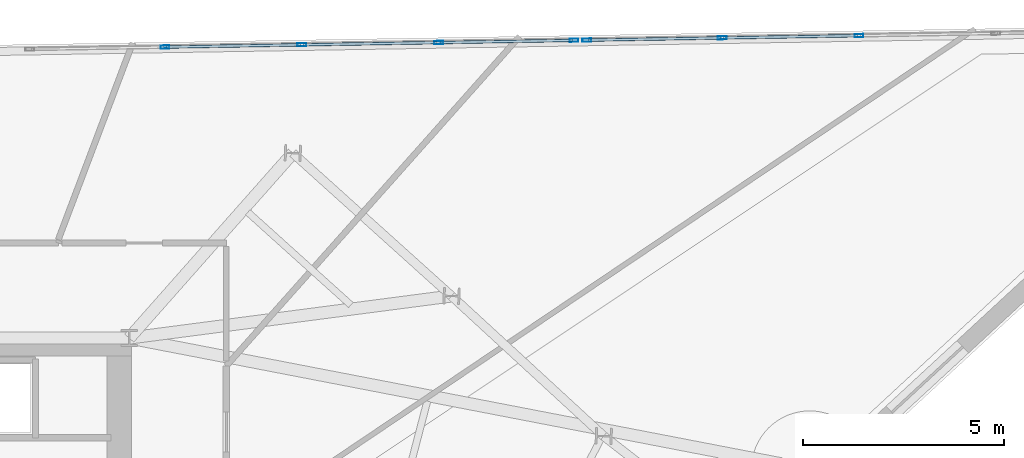
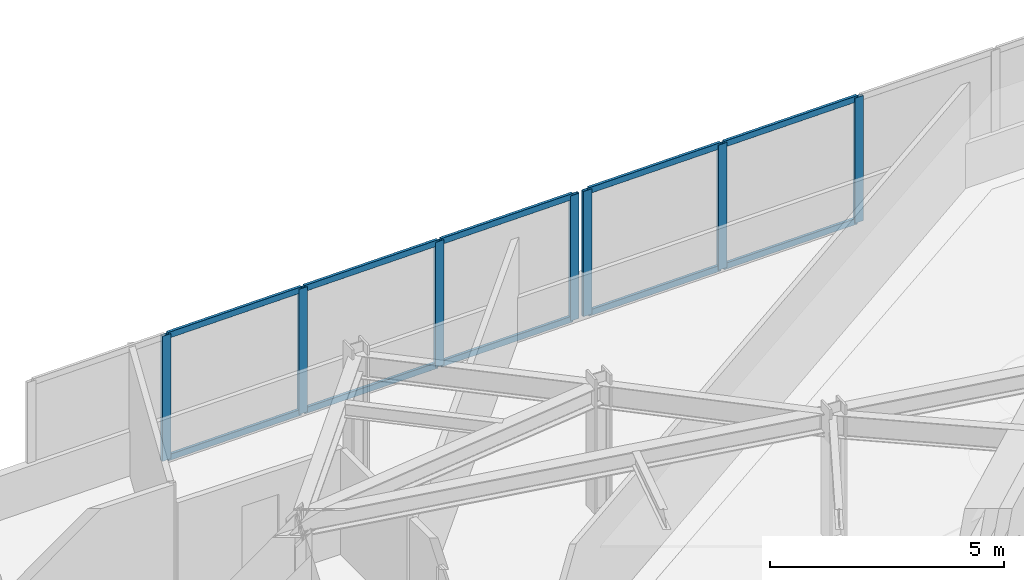
# One storey, part 6 of 14: 17 members, 2 elements without a shape of their own.
"""IFC4 building model written with IfcOpenShell, lengths in metres."""

from ifc_helpers import new_model, si_unit, direction, frame, origin, origin_2d, place, context, subcontext, project, spatial, hollow_rectangle, extrude, material, material_profile, profile_set, type_object, element, aggregate, save


model = new_model("IFC4")

# Units and contexts
model_context = context("Model", 3, precision=1e-05, world=origin(), true_north=direction((0.0, 1.0)))
body_context = subcontext(model_context, "Body", "Model", "MODEL_VIEW")
ifc_project = project(units=[si_unit("LENGTHUNIT", "METRE"), si_unit("AREAUNIT", "SQUARE_METRE"), si_unit("VOLUMEUNIT", "CUBIC_METRE"), si_unit("PLANEANGLEUNIT", "RADIAN"), si_unit("MASSUNIT", "GRAM", prefix="KILO")], contexts=[model_context])

# Site, building, storey
site_placement = place(None, origin())
site = spatial("IfcSite", under=ifc_project, at=site_placement, CompositionType="ELEMENT")
building_placement = place(site_placement, origin())
building = spatial("IfcBuilding", under=site, at=building_placement, Name="Narakoshi Arena Tower", CompositionType="ELEMENT")
storey_placement = place(building_placement, frame((0.0, 0.0, 288.89990234375)))
storey = spatial("IfcBuildingStorey", under=building, at=storey_placement, Name="L79", CompositionType="ELEMENT", Elevation=288.89990234375)

# Curtain wall, members
ifc_material_1 = material(Name="Clear low-iron laminated structural glass", Category="glass")
curtain_wall_type = type_object("IfcCurtainWallType", Name="CW-OBS-TMD", PredefinedType="NOTDEFINED", material=ifc_material_1)
curtain_wall_1_placement = place(storey_placement, origin())
curtain_wall_1 = element("IfcCurtainWall", 1, at=curtain_wall_1_placement, inside=storey, type_object=curtain_wall_type, Name="L79 Folded Hypotenuse Curtain Wall 1-1", PredefinedType="NOTDEFINED")
ifc_material_2 = material(Name="Anodised bronze aluminium 6063-T6", Category="aluminium")
ifc_material_profile_1 = material_profile(ifc_material_2, hollow_rectangle(XDim=0.080078125, YDim=0.219970703125, WallThickness=0.0048828125, OuterFilletRadius=0.006103515625, at=origin_2d()), Name="MUL220x80x5")
ifc_profile_set_1 = profile_set([ifc_material_profile_1], Name="Anodised bronze aluminium 6063-T6")
member_type_1 = type_object("IfcMemberType", Name="MEM-MUL-220", PredefinedType="MULLION", material=ifc_profile_set_1)
member_1_placement = place(storey_placement, frame((103.664306640625, 64.006591796875, 0.0), z_axis=(0.0, 0.0, 1.0), x_axis=(0.016444781281, -0.999864775441, 0.0)))
member_1 = element("IfcMember", 2, at=member_1_placement, type_object=member_type_1, Name="CW-05 mullion 3", PredefinedType="MULLION", context=body_context, shape_type="SweptSolid", body=[
    extrude(hollow_rectangle(XDim=0.080078125, YDim=0.219970703125, WallThickness=0.0048828125, OuterFilletRadius=0.006103515625, at=origin_2d()), origin(), (0.0, 0.0, 1.0), 3.260009765625),
])
member_2_placement = place(storey_placement, frame((100.26708984375, 63.95068359375, 0.0), z_axis=(0.0, 0.0, 1.0), x_axis=(0.016444781281, -0.999864775441, 0.0)))
member_2 = element("IfcMember", 3, at=member_2_placement, type_object=member_type_1, Name="CW-05 mullion 4", PredefinedType="MULLION", context=body_context, shape_type="SweptSolid", body=[
    extrude(hollow_rectangle(XDim=0.080078125, YDim=0.219970703125, WallThickness=0.0048828125, OuterFilletRadius=0.006103515625, at=origin_2d()), origin(), (0.0, 0.0, 1.0), 3.260009765625),
])
member_3_placement = place(storey_placement, frame((96.909912109375, 63.8955078125, 0.0), z_axis=(0.0, 0.0, 1.0), x_axis=(0.016444781281, -0.999864775441, 0.0)))
member_3 = element("IfcMember", 4, at=member_3_placement, type_object=member_type_1, Name="CW-05 mullion 5", PredefinedType="MULLION", context=body_context, shape_type="SweptSolid", body=[
    extrude(hollow_rectangle(XDim=0.080078125, YDim=0.219970703125, WallThickness=0.0048828125, OuterFilletRadius=0.006103515625, at=origin_2d()), origin(), (0.0, 0.0, 1.0), 3.260009765625),
])

curtain_wall_2_placement = place(storey_placement, origin())
curtain_wall_2 = element("IfcCurtainWall", 5, at=curtain_wall_2_placement, inside=storey, type_object=curtain_wall_type, Name="L79 Folded Hypotenuse Curtain Wall 1-2", PredefinedType="NOTDEFINED")
member_4_placement = place(storey_placement, frame((96.58984375, 63.89013671875, 0.0), z_axis=(0.0, 0.0, 1.0), x_axis=(0.016437304499, -0.999864898384, 0.0)))
member_4 = element("IfcMember", 6, at=member_4_placement, type_object=member_type_1, Name="CW-05 mullion 1", PredefinedType="MULLION", context=body_context, shape_type="SweptSolid", body=[
    extrude(hollow_rectangle(XDim=0.080078125, YDim=0.219970703125, WallThickness=0.0048828125, OuterFilletRadius=0.006103515625, at=origin_2d()), origin(), (0.0, 0.0, 1.0), 3.260009765625),
])
member_5_placement = place(storey_placement, frame((93.232421875, 63.8349609375, 0.0), z_axis=(0.0, 0.0, 1.0), x_axis=(0.016437304499, -0.999864898384, 0.0)))
member_5 = element("IfcMember", 7, at=member_5_placement, type_object=member_type_1, Name="CW-05 mullion 2", PredefinedType="MULLION", context=body_context, shape_type="SweptSolid", body=[
    extrude(hollow_rectangle(XDim=0.080078125, YDim=0.219970703125, WallThickness=0.0048828125, OuterFilletRadius=0.006103515625, at=origin_2d()), origin(), (0.0, 0.0, 1.0), 3.260009765625),
])
member_6_placement = place(storey_placement, frame((89.835205078125, 63.779296875, 0.0), z_axis=(0.0, 0.0, 1.0), x_axis=(0.016437304499, -0.999864898384, 0.0)))
member_6 = element("IfcMember", 8, at=member_6_placement, type_object=member_type_1, Name="CW-05 mullion 3", PredefinedType="MULLION", context=body_context, shape_type="SweptSolid", body=[
    extrude(hollow_rectangle(XDim=0.080078125, YDim=0.219970703125, WallThickness=0.0048828125, OuterFilletRadius=0.006103515625, at=origin_2d()), origin(), (0.0, 0.0, 1.0), 3.260009765625),
])
member_7_placement = place(storey_placement, frame((86.43798828125, 63.723388671875, 0.0), z_axis=(0.0, 0.0, 1.0), x_axis=(0.016437304499, -0.999864898384, 0.0)))
member_7 = element("IfcMember", 9, at=member_7_placement, type_object=member_type_1, Name="CW-05 mullion 4", PredefinedType="MULLION", context=body_context, shape_type="SweptSolid", body=[
    extrude(hollow_rectangle(XDim=0.080078125, YDim=0.219970703125, WallThickness=0.0048828125, OuterFilletRadius=0.006103515625, at=origin_2d()), origin(), (0.0, 0.0, 1.0), 3.260009765625),
])

# Member
ifc_material_profile_2 = material_profile(ifc_material_2, hollow_rectangle(XDim=0.070068359375, YDim=0.159912109375, WallThickness=0.00390625, OuterFilletRadius=0.0048828125, at=origin_2d()), Name="TRN160x70x4")
ifc_profile_set_2 = profile_set([ifc_material_profile_2], Name="Anodised bronze aluminium 6063-T6")
member_type_2 = type_object("IfcMemberType", Name="MEM-TRN-160", PredefinedType="USERDEFINED", material=ifc_profile_set_2)
member_8_placement = place(storey_placement, frame((103.624267578125, 64.006103515625, 0.03515625), z_axis=(-0.999864127874, -0.016484107209, 0.0), x_axis=(0.016484107209, -0.999864127874, 0.0)))
member_8 = element("IfcMember", 10, at=member_8_placement, type_object=member_type_2, Name="CW-05 transom 3.1", ObjectType="TRANSOM", PredefinedType="USERDEFINED", context=body_context, shape_type="SweptSolid", body=[
    extrude(hollow_rectangle(XDim=0.070068359375, YDim=0.159912109375, WallThickness=0.00390625, OuterFilletRadius=0.0048828125, at=origin_2d()), origin(), (0.0, 0.0, 1.0), 3.317626953125),
])

member_9_placement = place(storey_placement, frame((103.624267578125, 64.006103515625, 3.22509765625), z_axis=(-0.999864127874, -0.016484107209, 0.0), x_axis=(0.016484107209, -0.999864127874, 0.0)))
member_9 = element("IfcMember", 11, at=member_9_placement, type_object=member_type_2, Name="CW-05 transom 3.2", ObjectType="TRANSOM", PredefinedType="USERDEFINED", context=body_context, shape_type="SweptSolid", body=[
    extrude(hollow_rectangle(XDim=0.070068359375, YDim=0.159912109375, WallThickness=0.00390625, OuterFilletRadius=0.0048828125, at=origin_2d()), origin(), (0.0, 0.0, 1.0), 3.317626953125),
])

member_10_placement = place(storey_placement, frame((100.22705078125, 63.9501953125, 0.03515625), z_axis=(-0.999864511512, -0.016460820698, 0.0), x_axis=(0.016460820698, -0.999864511512, 0.0)))
member_10 = element("IfcMember", 12, at=member_10_placement, type_object=member_type_2, Name="CW-05 transom 4.1", ObjectType="TRANSOM", PredefinedType="USERDEFINED", context=body_context, shape_type="SweptSolid", body=[
    extrude(hollow_rectangle(XDim=0.070068359375, YDim=0.159912109375, WallThickness=0.00390625, OuterFilletRadius=0.0048828125, at=origin_2d()), origin(), (0.0, 0.0, 1.0), 3.27783203125),
])

member_11_placement = place(storey_placement, frame((100.22705078125, 63.9501953125, 3.22509765625), z_axis=(-0.999864511512, -0.016460820698, 0.0), x_axis=(0.016460820698, -0.999864511512, 0.0)))
member_11 = element("IfcMember", 13, at=member_11_placement, type_object=member_type_2, Name="CW-05 transom 4.2", ObjectType="TRANSOM", PredefinedType="USERDEFINED", context=body_context, shape_type="SweptSolid", body=[
    extrude(hollow_rectangle(XDim=0.070068359375, YDim=0.159912109375, WallThickness=0.00390625, OuterFilletRadius=0.0048828125, at=origin_2d()), origin(), (0.0, 0.0, 1.0), 3.27783203125),
])

aggregate(curtain_wall_1, [member_1, member_2, member_3, member_8, member_9, member_10, member_11])

member_12_placement = place(storey_placement, frame((96.5498046875, 63.8896484375, 0.03515625), z_axis=(-0.999864511512, -0.016460820698, 0.0), x_axis=(0.016460820698, -0.999864511512, 0.0)))
member_12 = element("IfcMember", 14, at=member_12_placement, type_object=member_type_2, Name="CW-05 transom 1.1", ObjectType="TRANSOM", PredefinedType="USERDEFINED", context=body_context, shape_type="SweptSolid", body=[
    extrude(hollow_rectangle(XDim=0.070068359375, YDim=0.159912109375, WallThickness=0.00390625, OuterFilletRadius=0.0048828125, at=origin_2d()), origin(), (0.0, 0.0, 1.0), 3.27783203125),
])

member_13_placement = place(storey_placement, frame((96.5498046875, 63.8896484375, 3.22509765625), z_axis=(-0.999864511512, -0.016460820698, 0.0), x_axis=(0.016460820698, -0.999864511512, 0.0)))
member_13 = element("IfcMember", 15, at=member_13_placement, type_object=member_type_2, Name="CW-05 transom 1.2", ObjectType="TRANSOM", PredefinedType="USERDEFINED", context=body_context, shape_type="SweptSolid", body=[
    extrude(hollow_rectangle(XDim=0.070068359375, YDim=0.159912109375, WallThickness=0.00390625, OuterFilletRadius=0.0048828125, at=origin_2d()), origin(), (0.0, 0.0, 1.0), 3.27783203125),
])

member_14_placement = place(storey_placement, frame((93.192626953125, 63.83447265625, 0.03515625), z_axis=(-0.999864147868, -0.016482894401, 0.0), x_axis=(0.016482894401, -0.999864147868, 0.0)))
member_14 = element("IfcMember", 16, at=member_14_placement, type_object=member_type_2, Name="CW-05 transom 2.1", ObjectType="TRANSOM", PredefinedType="USERDEFINED", context=body_context, shape_type="SweptSolid", body=[
    extrude(hollow_rectangle(XDim=0.070068359375, YDim=0.159912109375, WallThickness=0.00390625, OuterFilletRadius=0.0048828125, at=origin_2d()), origin(), (0.0, 0.0, 1.0), 3.31787109375),
])

member_15_placement = place(storey_placement, frame((93.192626953125, 63.83447265625, 3.22509765625), z_axis=(-0.999864147868, -0.016482894401, 0.0), x_axis=(0.016482894401, -0.999864147868, 0.0)))
member_15 = element("IfcMember", 17, at=member_15_placement, type_object=member_type_2, Name="CW-05 transom 2.2", ObjectType="TRANSOM", PredefinedType="USERDEFINED", context=body_context, shape_type="SweptSolid", body=[
    extrude(hollow_rectangle(XDim=0.070068359375, YDim=0.159912109375, WallThickness=0.00390625, OuterFilletRadius=0.0048828125, at=origin_2d()), origin(), (0.0, 0.0, 1.0), 3.31787109375),
])

member_16_placement = place(storey_placement, frame((89.795166015625, 63.778564453125, 0.03515625), z_axis=(-0.999865357882, -0.016409329909, 0.0), x_axis=(0.016409329909, -0.999865357882, 0.0)))
member_16 = element("IfcMember", 18, at=member_16_placement, type_object=member_type_2, Name="CW-05 transom 3.1", ObjectType="TRANSOM", PredefinedType="USERDEFINED", context=body_context, shape_type="SweptSolid", body=[
    extrude(hollow_rectangle(XDim=0.070068359375, YDim=0.159912109375, WallThickness=0.00390625, OuterFilletRadius=0.0048828125, at=origin_2d()), origin(), (0.0, 0.0, 1.0), 3.31787109375),
])

member_17_placement = place(storey_placement, frame((89.795166015625, 63.778564453125, 3.22509765625), z_axis=(-0.999865357882, -0.016409329909, 0.0), x_axis=(0.016409329909, -0.999865357882, 0.0)))
member_17 = element("IfcMember", 19, at=member_17_placement, type_object=member_type_2, Name="CW-05 transom 3.2", ObjectType="TRANSOM", PredefinedType="USERDEFINED", context=body_context, shape_type="SweptSolid", body=[
    extrude(hollow_rectangle(XDim=0.070068359375, YDim=0.159912109375, WallThickness=0.00390625, OuterFilletRadius=0.0048828125, at=origin_2d()), origin(), (0.0, 0.0, 1.0), 3.31787109375),
])

aggregate(curtain_wall_2, [member_4, member_5, member_6, member_7, member_12, member_13, member_14, member_15, member_16, member_17])

save(model, "model.ifc")
